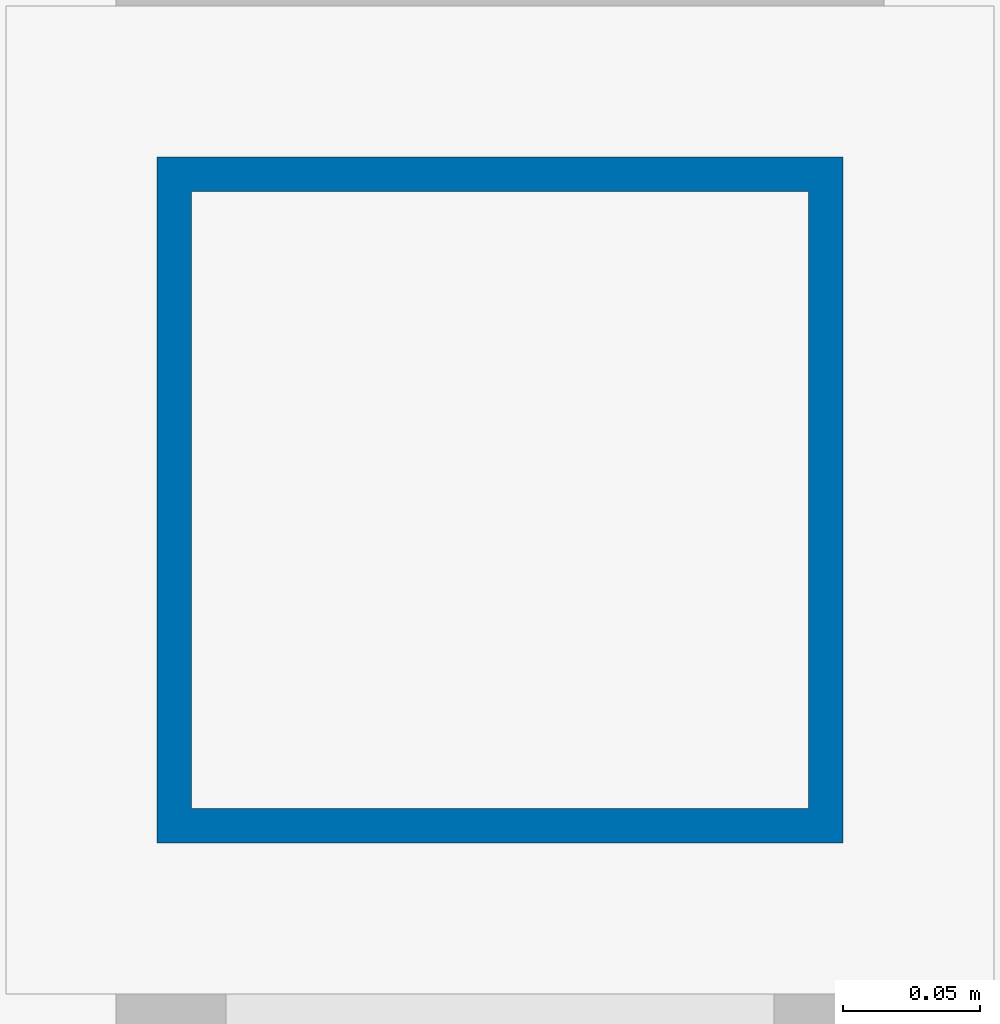
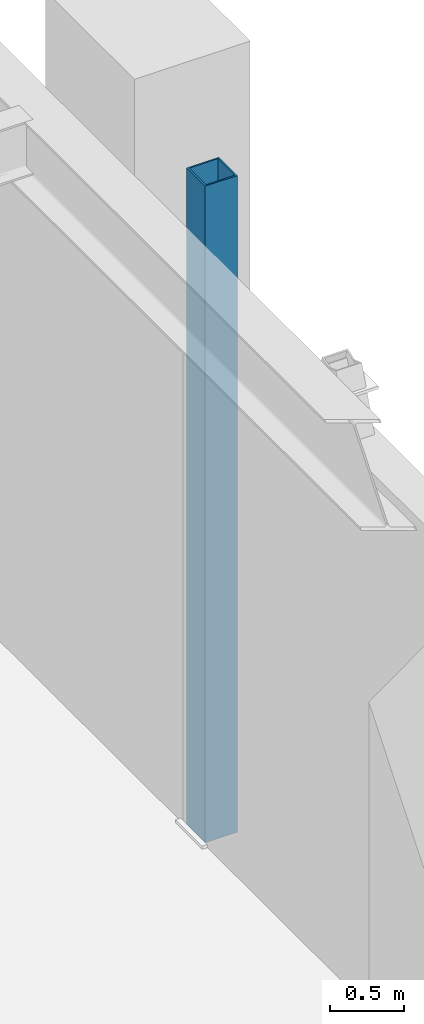
# One storey, part 16 of 159: 1 column.
"""IFC4 building model written with IfcOpenShell, lengths in metres."""

from ifc_helpers import new_model, si_unit, derived_unit, direction, frame, origin, origin_2d, place, context, subcontext, project, spatial, hollow_rectangle, extrude, material, material_profile, profile_set, type_object, element, save


model = new_model("IFC4")

# Units and contexts
model_context = context("Model", 3, precision=1e-05, world=origin(), true_north=direction((0.0, 1.0)))
body_context = subcontext(model_context, "Body", "Model", "MODEL_VIEW")
ifc_project = project(units=[si_unit("LENGTHUNIT", "METRE"), si_unit("AREAUNIT", "SQUARE_METRE"), si_unit("VOLUMEUNIT", "CUBIC_METRE"), si_unit("PLANEANGLEUNIT", "RADIAN"), si_unit("MASSUNIT", "GRAM", prefix="KILO"), derived_unit("THERMALTRANSMITTANCEUNIT", [(si_unit("MASSUNIT", "GRAM", prefix="KILO"), 1), (si_unit("TIMEUNIT", "SECOND"), -3), (si_unit("THERMODYNAMICTEMPERATUREUNIT", "KELVIN"), -1)])], contexts=[model_context])

# Site, building, storey
site_placement = place(None, origin())
site = spatial("IfcSite", under=ifc_project, at=site_placement, CompositionType="ELEMENT")
building_placement = place(site_placement, origin())
building = spatial("IfcBuilding", under=site, at=building_placement, Name="Valcora Ridge Arena", CompositionType="ELEMENT")
storey_placement = place(building_placement, frame((0.0, 0.0, 6.0)))
storey = spatial("IfcBuildingStorey", under=building, at=storey_placement, Name="L01", CompositionType="ELEMENT", Elevation=6.0)

# Column
ifc_material = material(Name="Steel ASTM A500 Grade C", Category="steel")
ifc_material_profile = material_profile(ifc_material, hollow_rectangle(XDim=0.25, YDim=0.25, WallThickness=0.012451171875, at=origin_2d()), Name="HSS250X250X12")
ifc_profile_set = profile_set([ifc_material_profile], Name="Steel ASTM A500 Grade C")
column_type = type_object("IfcColumnType", Name="TY-COLUMN-C-CBF250", PredefinedType="COLUMN", material=ifc_profile_set)
column_placement = place(storey_placement, frame((191.780029296875, 124.199951171875, 0.0), z_axis=(0.0, 0.0, 1.0), x_axis=(1.0, 0.0, 0.0)))
element("IfcColumn", 1, at=column_placement, inside=storey, type_object=column_type, Name="C-CBF250 COL-CBF-C-CBF250-0019", PredefinedType="COLUMN", context=body_context, shape_type="SweptSolid", body=[
    extrude(hollow_rectangle(XDim=0.25, YDim=0.25, WallThickness=0.012451171875, at=origin_2d()), origin(), (0.0, 0.0, 1.0), 5.39990234375),
])

save(model, "model.ifc")
